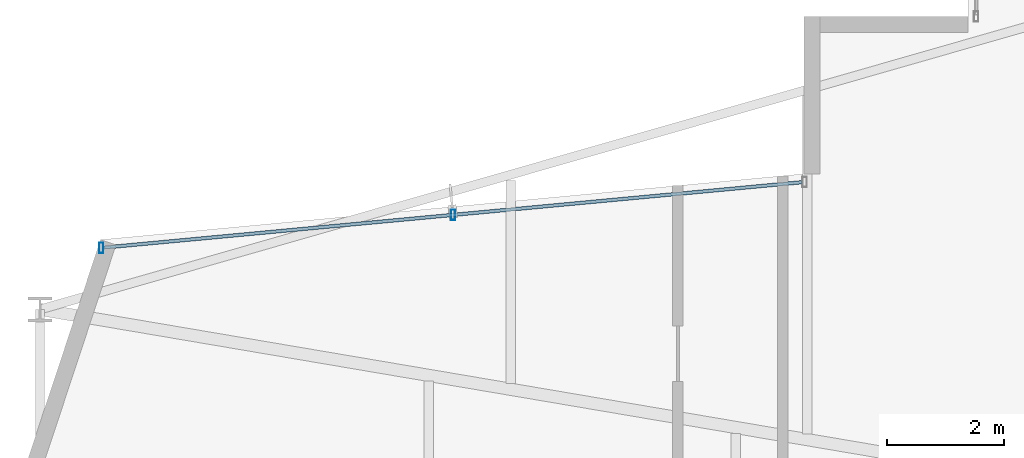
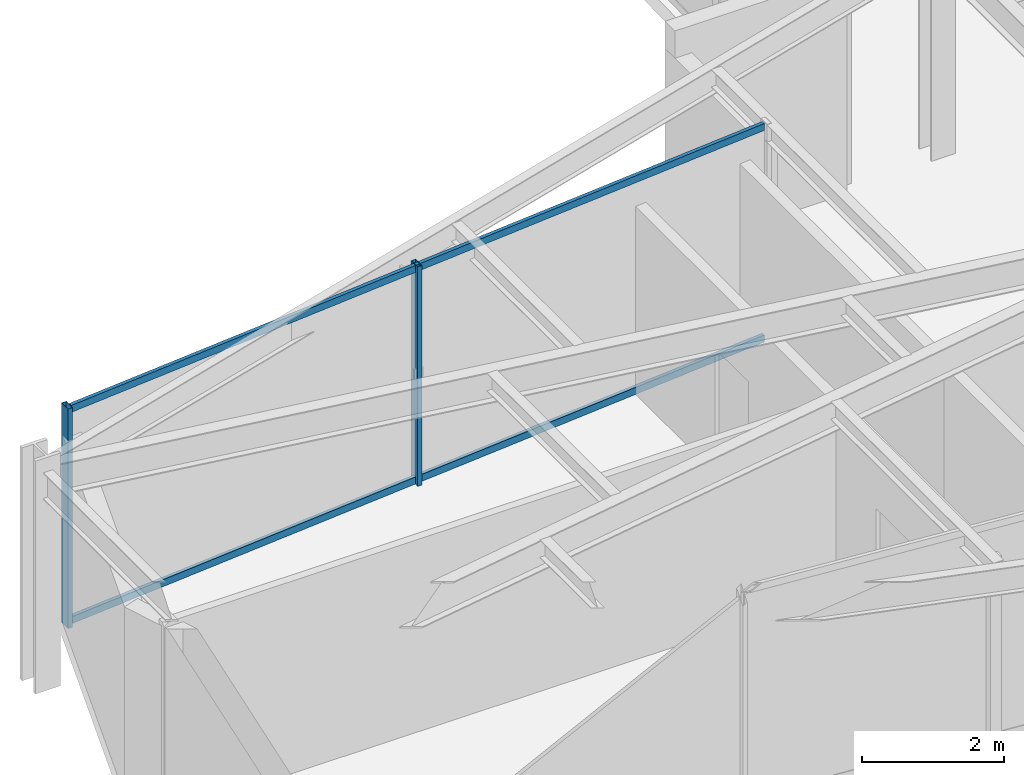
# One storey, part 8 of 22: 4 members, 1 element without a shape of its own.
"""IFC4 building model written with IfcOpenShell, lengths in metres."""

from ifc_helpers import new_model, si_unit, direction, frame, origin, origin_2d, place, context, subcontext, project, spatial, hollow_rectangle, extrude, material, layer, layer_set, material_profile, profile_set, type_object, element, aggregate, save


model = new_model("IFC4")

# Units and contexts
model_context = context("Model", 3, precision=1e-05, world=origin(), true_north=direction((0.0, 1.0)))
body_context = subcontext(model_context, "Body", "Model", "MODEL_VIEW")
ifc_project = project(units=[si_unit("LENGTHUNIT", "METRE"), si_unit("AREAUNIT", "SQUARE_METRE"), si_unit("VOLUMEUNIT", "CUBIC_METRE"), si_unit("PLANEANGLEUNIT", "RADIAN"), si_unit("MASSUNIT", "GRAM", prefix="KILO")], contexts=[model_context])

# Site, building, storey
site_placement = place(None, origin())
site = spatial("IfcSite", under=ifc_project, at=site_placement, CompositionType="ELEMENT")
building_placement = place(site_placement, origin())
building = spatial("IfcBuilding", under=site, at=building_placement, Name="Veymaron Broadcast Tower", CompositionType="ELEMENT")
storey_placement = place(building_placement, frame((0.0, 0.0, 216.14990234375)))
storey = spatial("IfcBuildingStorey", under=building, at=storey_placement, Name="L50", CompositionType="ELEMENT", Elevation=216.14990234375)

# Curtain wall, members
ifc_material_1 = material(Name="Anodised aluminium AA 6063-T6 and laminated low-E dark glass", Category="aluminium")
ifc_layer = layer(ifc_material_1, 0.179931640625)
ifc_layer_set = layer_set([ifc_layer], Name="Anodised aluminium AA 6063-T6 and laminated low-E dark glass")
curtain_wall_type = type_object("IfcCurtainWallType", Name="CW-SYS-05", PredefinedType="NOTDEFINED", material=ifc_layer_set)
curtain_wall_placement = place(storey_placement, origin())
curtain_wall = element("IfcCurtainWall", 1, at=curtain_wall_placement, inside=storey, type_object=curtain_wall_type, Name="L50 dark-glass curtain wall CW-L50-E11-1", PredefinedType="NOTDEFINED")
ifc_material_2 = material(Name="Anodised aluminium AA 6063-T6", Category="aluminium")
ifc_material_profile_1 = material_profile(ifc_material_2, hollow_rectangle(XDim=0.074951171875, YDim=0.179931640625, WallThickness=0.0048828125, at=origin_2d()), Name="AL180X75X5")
ifc_profile_set_1 = profile_set([ifc_material_profile_1], Name="Anodised aluminium AA 6063-T6")
member_type_1 = type_object("IfcMemberType", Name="CW-MUL-02", PredefinedType="MULLION", material=ifc_profile_set_1)
member_1_placement = place(storey_placement, frame((20.7431640625, 28.59619140625, 0.0), z_axis=(0.0, 0.0, 1.0), x_axis=(1.0, 0.0, 0.0)))
member_1 = element("IfcMember", 2, at=member_1_placement, type_object=member_type_1, Name="CW-L50-E11-1 mullion 1", PredefinedType="MULLION", context=body_context, shape_type="SweptSolid", body=[
    extrude(hollow_rectangle(XDim=0.074951171875, YDim=0.179931640625, WallThickness=0.0048828125, at=origin_2d()), origin(), (0.0, 0.0, 1.0), 3.7900390625),
])
member_2_placement = place(storey_placement, frame((14.713134765625, 28.03125, 0.0), z_axis=(0.0, 0.0, 1.0), x_axis=(1.0, 0.0, 0.0)))
member_2 = element("IfcMember", 3, at=member_2_placement, type_object=member_type_1, Name="CW-L50-E11-1 mullion 2", PredefinedType="MULLION", context=body_context, shape_type="SweptSolid", body=[
    extrude(hollow_rectangle(XDim=0.074951171875, YDim=0.179931640625, WallThickness=0.0048828125, at=origin_2d()), origin(), (0.0, 0.0, 1.0), 3.7900390625),
])
ifc_material_profile_2 = material_profile(ifc_material_2, hollow_rectangle(XDim=0.06005859375, YDim=0.1201171875, WallThickness=0.00390625, at=origin_2d()), Name="AL120X60X4")
ifc_profile_set_2 = profile_set([ifc_material_profile_2], Name="Anodised aluminium AA 6063-T6")
member_type_2 = type_object("IfcMemberType", Name="CW-TRN-02", PredefinedType="USERDEFINED", material=ifc_profile_set_2)
member_3_placement = place(storey_placement, frame((26.723388671875, 29.15625, 0.070068359375), z_axis=(-0.995641423823, -0.093263900672, 0.0), x_axis=(0.093263900672, -0.995641423823, 0.0)))
member_3 = element("IfcMember", 4, at=member_3_placement, type_object=member_type_2, Name="CW-L50-E11-1 transom B", ObjectType="TRANSOM", PredefinedType="USERDEFINED", context=body_context, shape_type="SweptSolid", body=[
    extrude(hollow_rectangle(XDim=0.06005859375, YDim=0.1201171875, WallThickness=0.00390625, at=origin_2d()), origin(), (0.0, 0.0, 1.0), 12.0126953125),
])
member_4_placement = place(storey_placement, frame((26.723388671875, 29.15625, 3.72021484375), z_axis=(-0.995641423823, -0.093263900672, 0.0), x_axis=(0.093263900672, -0.995641423823, 0.0)))
member_4 = element("IfcMember", 5, at=member_4_placement, type_object=member_type_2, Name="CW-L50-E11-1 transom T", ObjectType="TRANSOM", PredefinedType="USERDEFINED", context=body_context, shape_type="SweptSolid", body=[
    extrude(hollow_rectangle(XDim=0.06005859375, YDim=0.1201171875, WallThickness=0.00390625, at=origin_2d()), origin(), (0.0, 0.0, 1.0), 12.0126953125),
])
aggregate(curtain_wall, [member_1, member_2, member_3, member_4])

save(model, "model.ifc")
